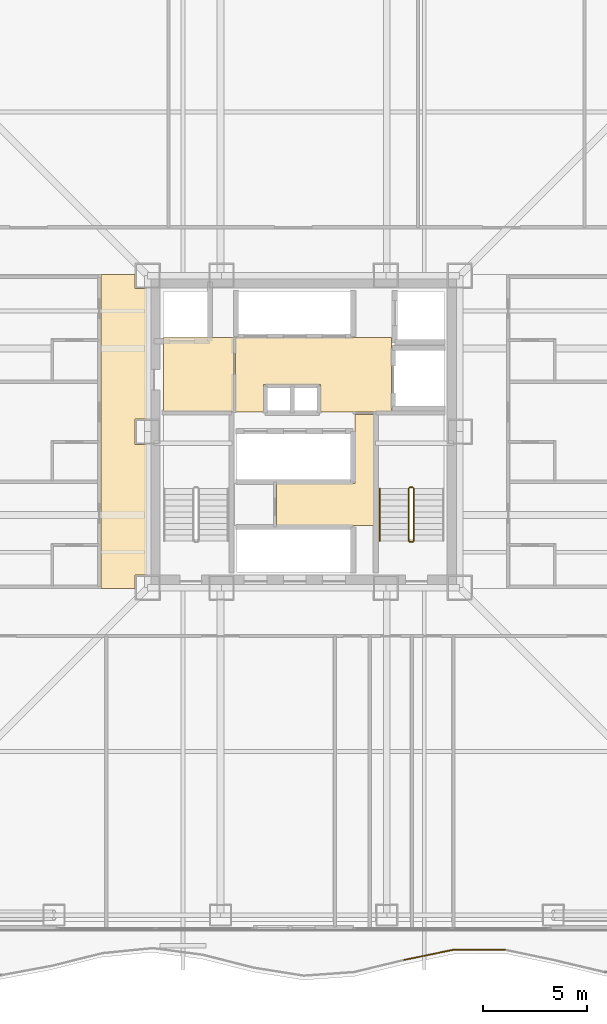
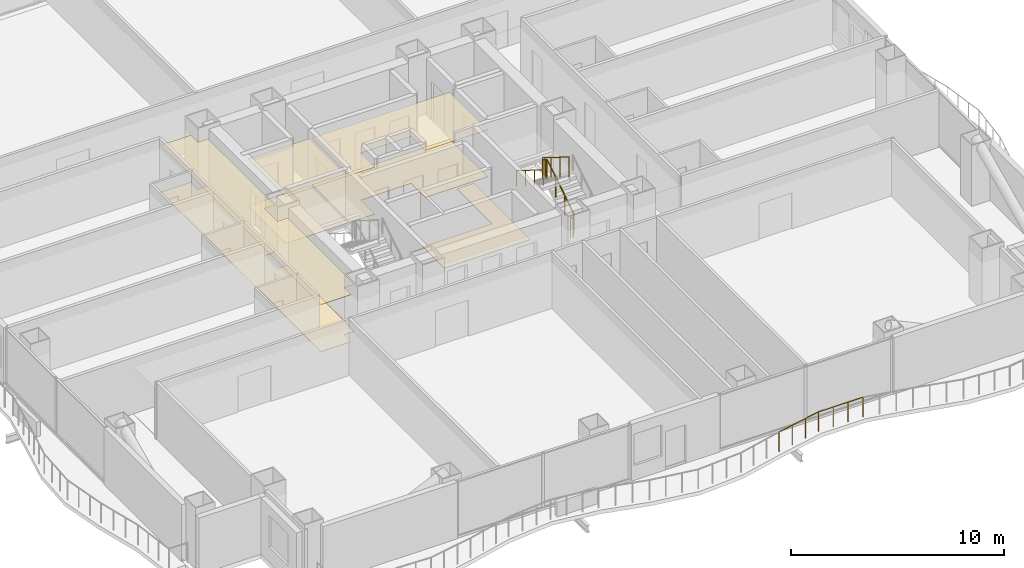
# One storey, part 21 of 24: 7 coverings, 7 railings.
"""IFC4 building model written with IfcOpenShell, lengths in metres."""

from ifc_helpers import new_model, si_unit, direction, frame, origin, origin_2d, place, context, subcontext, project, spatial, polyline, circle, outline, extrude, material, layer, layer_set, type_object, element, save


model = new_model("IFC4")

# Units and contexts
model_context = context("Model", 3, precision=1e-05, world=origin(), true_north=direction((0.0, 1.0)))
body_context = subcontext(model_context, "Body", "Model", "MODEL_VIEW")
ifc_project = project(units=[si_unit("LENGTHUNIT", "METRE"), si_unit("AREAUNIT", "SQUARE_METRE"), si_unit("VOLUMEUNIT", "CUBIC_METRE"), si_unit("PLANEANGLEUNIT", "RADIAN"), si_unit("MASSUNIT", "GRAM", prefix="KILO")], contexts=[model_context])

# Site, building, storey
site_placement = place(None, origin())
site = spatial("IfcSite", under=ifc_project, at=site_placement, CompositionType="ELEMENT")
building_placement = place(site_placement, origin())
building = spatial("IfcBuilding", under=site, at=building_placement, Name="Trevonay Congress Spire", CompositionType="ELEMENT")
storey_placement = place(building_placement, frame((0.0, 0.0, 55.0)))
storey = spatial("IfcBuildingStorey", under=building, at=storey_placement, Name="L13", CompositionType="ELEMENT", Elevation=55.0)

# Coverings
ifc_material_1 = material(Name="Acoustic Mineral Fibre Board", Category="gypsum")
ifc_layer_1 = layer(ifc_material_1, 0.02490234375, Name="Acoustic Mineral Fibre Board")
ifc_layer_set_1 = layer_set([ifc_layer_1], Name="Acoustic Mineral Fibre Board")
covering_type_1 = type_object("IfcCoveringType", Name="COV-CEIL-ACOUSTIC", PredefinedType="CEILING", material=ifc_layer_set_1)
covering_1_placement = place(storey_placement, frame((0.0, 0.0, 2.699951171875)))
element("IfcCovering", 1, at=covering_1_placement, inside=storey, type_object=covering_type_1, Name="L13 Firefighting Lift Lobby West acoustic suspended ceiling", PredefinedType="CEILING", context=body_context, shape_type="SweptSolid", body=[
    extrude(outline(polyline([(-6.75, 0.9599609375), (-3.3798828125, 0.9599609375), (-3.3798828125, 4.52001953125), (-6.75, 4.52001953125), (-6.75, 0.9599609375)])), origin(), (0.0, 0.0, 1.0), 0.025146484375),
])
covering_2_placement = place(storey_placement, frame((0.0, 0.0, 2.699951171875)))
element("IfcCovering", 2, at=covering_2_placement, inside=storey, type_object=covering_type_1, Name="L13 Central and High-Rise Passenger Lift Lobby acoustic suspended ceiling", PredefinedType="CEILING", context=body_context, shape_type="SweptSolid", body=[
    extrude(outline(polyline([(-3.280029296875, 0.949951171875), (-1.919921875, 0.949951171875), (-1.919921875, 2.280029296875), (0.820068359375, 2.280029296875), (0.820068359375, 0.949951171875), (4.219970703125, 0.949951171875), (4.219970703125, 4.52001953125), (-3.280029296875, 4.52001953125), (-3.280029296875, 0.949951171875)])), origin(), (0.0, 0.0, 1.0), 0.025146484375),
])
covering_3_placement = place(storey_placement, frame((0.0, 0.0, 2.699951171875)))
element("IfcCovering", 3, at=covering_3_placement, inside=storey, type_object=covering_type_1, Name="L13 Hotel Floor Corridor West acoustic suspended ceiling", PredefinedType="CEILING", context=body_context, shape_type="SweptSolid", body=[
    extrude(outline(polyline([(-9.75, 7.550048828125), (-8.110107421875, 7.550048828125), (-8.110107421875, 6.889892578125), (-7.550048828125, 6.889892578125), (-7.550048828125, 0.610107421875), (-8.110107421875, 0.610107421875), (-8.110107421875, -0.610107421875), (-7.550048828125, -0.610107421875), (-7.550048828125, -6.889892578125), (-8.110107421875, -6.889892578125), (-8.110107421875, -7.550048828125), (-9.75, -7.550048828125), (-9.75, 7.550048828125)])), origin(), (0.0, 0.0, 1.0), 0.025146484375),
])
ifc_material_2 = material(Name="Polished Granite Floor Tile", Category="masonry")
ifc_layer_2 = layer(ifc_material_2, 0.02001953125, Name="Polished Granite Floor Tile")
ifc_layer_set_2 = layer_set([ifc_layer_2], Name="Polished Granite Floor Tile")
covering_type_2 = type_object("IfcCoveringType", Name="COV-FLOOR-STONE", PredefinedType="FLOORING", material=ifc_layer_set_2)
covering_4_placement = place(storey_placement, origin())
element("IfcCovering", 4, at=covering_4_placement, inside=storey, type_object=covering_type_2, Name="L13 Firefighting Lift Lobby West floor finish", PredefinedType="FLOORING", context=body_context, shape_type="SweptSolid", body=[
    extrude(outline(polyline([(-6.75, 0.9599609375), (-3.3798828125, 0.9599609375), (-3.3798828125, 4.52001953125), (-6.75, 4.52001953125), (-6.75, 0.9599609375)])), origin(), (0.0, 0.0, 1.0), 0.02001953125),
])
covering_5_placement = place(storey_placement, origin())
element("IfcCovering", 5, at=covering_5_placement, inside=storey, type_object=covering_type_2, Name="L13 Central and High-Rise Passenger Lift Lobby floor finish", PredefinedType="FLOORING", context=body_context, shape_type="SweptSolid", body=[
    extrude(outline(polyline([(-3.280029296875, 0.949951171875), (-1.919921875, 0.949951171875), (-1.919921875, 2.280029296875), (0.820068359375, 2.280029296875), (0.820068359375, 0.949951171875), (4.219970703125, 0.949951171875), (4.219970703125, 4.52001953125), (-3.280029296875, 4.52001953125), (-3.280029296875, 0.949951171875)])), origin(), (0.0, 0.0, 1.0), 0.02001953125),
])
covering_6_placement = place(storey_placement, origin())
element("IfcCovering", 6, at=covering_6_placement, inside=storey, type_object=covering_type_2, Name="L13 Smoke Control Damper Room floor finish", PredefinedType="FLOORING", context=body_context, shape_type="SweptSolid", body=[
    extrude(outline(polyline([(-1.300048828125, -4.52001953125), (3.3798828125, -4.52001953125), (3.3798828125, 0.820068359375), (2.4599609375, 0.820068359375), (2.4599609375, -2.47998046875), (-1.300048828125, -2.47998046875), (-1.300048828125, -4.52001953125)])), origin(), (0.0, 0.0, 1.0), 0.02001953125),
])
covering_7_placement = place(storey_placement, origin())
element("IfcCovering", 7, at=covering_7_placement, inside=storey, type_object=covering_type_2, Name="L13 Hotel Floor Corridor West floor finish", PredefinedType="FLOORING", context=body_context, shape_type="SweptSolid", body=[
    extrude(outline(polyline([(-9.75, 7.550048828125), (-8.110107421875, 7.550048828125), (-8.110107421875, 6.889892578125), (-7.550048828125, 6.889892578125), (-7.550048828125, 0.610107421875), (-8.110107421875, 0.610107421875), (-8.110107421875, -0.610107421875), (-7.550048828125, -0.610107421875), (-7.550048828125, -6.889892578125), (-8.110107421875, -6.889892578125), (-8.110107421875, -7.550048828125), (-9.75, -7.550048828125), (-9.75, 7.550048828125)])), origin(), (0.0, 0.0, 1.0), 0.02001953125),
])

# Railings
ifc_material_3 = material(Name="Pale Anodised Aluminium EN AW-6063-T6", Category="aluminium")
railing_type_1 = type_object("IfcRailingType", Name="RAL-EXT-GUARD-115", PredefinedType="GUARDRAIL", material=ifc_material_3)
railing_1_placement = place(storey_placement, frame((4.8359375, -25.39599609375, 0.0)))
element("IfcRailing", 8, at=railing_1_placement, inside=storey, type_object=railing_type_1, Name="L13 perimeter safety guard GRD-L13-WAV-S-11", PredefinedType="GUARDRAIL", context=body_context, shape_type="SweptSolid", body=[
    extrude(circle(Radius=0.02392578125, at=origin_2d()), frame((0.0, 0.0, 1.1259765625), z_axis=(0.979282060972, 0.202500975451, 0.0), x_axis=(-0.202500975451, 0.979282060972, 0.0)), (0.0, 0.0, 1.0), 2.46923828125),
    extrude(circle(Radius=0.02099609375, at=origin_2d()), origin(), (0.0, 0.0, 1.0), 1.101806640625),
    extrude(circle(Radius=0.02099609375, at=origin_2d()), frame((0.805908203125, 0.166748046875, 0.0)), (0.0, 0.0, 1.0), 1.101806640625),
    extrude(circle(Radius=0.02099609375, at=origin_2d()), frame((1.612060546875, 0.333251953125, 0.0)), (0.0, 0.0, 1.0), 1.101806640625),
    extrude(circle(Radius=0.02099609375, at=origin_2d()), frame((2.41796875, 0.5, 0.0)), (0.0, 0.0, 1.0), 1.101806640625),
])
railing_2_placement = place(storey_placement, frame((7.25390625, -24.89599609375, 0.0)))
element("IfcRailing", 9, at=railing_2_placement, inside=storey, type_object=railing_type_1, Name="L13 perimeter safety guard GRD-L13-WAV-S-12", PredefinedType="GUARDRAIL", context=body_context, shape_type="SweptSolid", body=[
    extrude(circle(Radius=0.02392578125, at=origin_2d()), frame((0.0, 0.0, 1.1259765625), z_axis=(0.999994450098, -0.003331632191, 0.0), x_axis=(0.003331632191, 0.999994450098, 0.0)), (0.0, 0.0, 1.0), 2.418212890625),
    extrude(circle(Radius=0.02099609375, at=origin_2d()), origin(), (0.0, 0.0, 1.0), 1.101806640625),
    extrude(circle(Radius=0.02099609375, at=origin_2d()), frame((0.80615234375, -0.002685546875, 0.0)), (0.0, 0.0, 1.0), 1.101806640625),
    extrude(circle(Radius=0.02099609375, at=origin_2d()), frame((1.612060546875, -0.00537109375, 0.0)), (0.0, 0.0, 1.0), 1.101806640625),
    extrude(circle(Radius=0.02099609375, at=origin_2d()), frame((2.418212890625, -0.008056640625, 0.0)), (0.0, 0.0, 1.0), 1.101806640625),
])
railing_type_2 = type_object("IfcRailingType", Name="RAL-STAIR-GUARD-110", PredefinedType="GUARDRAIL", material=ifc_material_3)
railing_3_placement = place(storey_placement, frame((5.300048828125, -5.25, 0.175048828125)))
element("IfcRailing", 10, at=railing_3_placement, inside=storey, type_object=railing_type_2, Name="L13 ST-2 stair guard 1", PredefinedType="GUARDRAIL", context=body_context, shape_type="SweptSolid", body=[
    extrude(circle(Radius=0.02392578125, at=origin_2d()), frame((0.0, 0.0, 1.1259765625), z_axis=(0.0, 0.848007534815, 0.529984170421), x_axis=(-1.0, 0.0, 0.0)), (0.0, 0.0, 1.0), 2.9716796875),
    extrude(circle(Radius=0.02099609375, at=origin_2d()), origin(), (0.0, 0.0, 1.0), 1.101806640625),
    extrude(circle(Radius=0.02099609375, at=origin_2d()), frame((0.0, 0.840087890625, 0.52490234375)), (0.0, 0.0, 1.0), 1.101806640625),
    extrude(circle(Radius=0.02099609375, at=origin_2d()), frame((0.0, 1.679931640625, 1.050048828125)), (0.0, 0.0, 1.0), 1.101806640625),
    extrude(circle(Radius=0.02099609375, at=origin_2d()), frame((0.0, 2.52001953125, 1.574951171875)), (0.0, 0.0, 1.0), 1.101806640625),
])
railing_4_placement = place(storey_placement, frame((5.25, -2.679931640625, 1.75)))
element("IfcRailing", 11, at=railing_4_placement, inside=storey, type_object=railing_type_2, Name="L13 ST-2 stair guard 2", PredefinedType="GUARDRAIL", context=body_context, shape_type="SweptSolid", body=[
    extrude(circle(Radius=0.02392578125, at=origin_2d()), frame((0.0, 0.0, 1.1259765625), z_axis=(-1.0, 0.0, 0.0), x_axis=(0.0, -1.0, 0.0)), (0.0, 0.0, 1.0), 0.14990234375),
    extrude(circle(Radius=0.02099609375, at=origin_2d()), origin(), (0.0, 0.0, 1.0), 1.101806640625),
    extrude(circle(Radius=0.02099609375, at=origin_2d()), frame((-0.14990234375, 0.0, 0.0)), (0.0, 0.0, 1.0), 1.101806640625),
])
railing_5_placement = place(storey_placement, frame((5.050048828125, -2.72998046875, 1.925048828125)))
element("IfcRailing", 12, at=railing_5_placement, inside=storey, type_object=railing_type_2, Name="L13 ST-2 stair guard 3", PredefinedType="GUARDRAIL", context=body_context, shape_type="SweptSolid", body=[
    extrude(circle(Radius=0.02392578125, at=origin_2d()), frame((0.0, 0.0, 1.1259765625), z_axis=(0.0, -0.848007534815, 0.529984170421), x_axis=(1.0, 0.0, 0.0)), (0.0, 0.0, 1.0), 2.9716796875),
    extrude(circle(Radius=0.02099609375, at=origin_2d()), origin(), (0.0, 0.0, 1.0), 1.101806640625),
    extrude(circle(Radius=0.02099609375, at=origin_2d()), frame((0.0, -0.840087890625, 0.52490234375)), (0.0, 0.0, 1.0), 1.101806640625),
    extrude(circle(Radius=0.02099609375, at=origin_2d()), frame((0.0, -1.679931640625, 1.050048828125)), (0.0, 0.0, 1.0), 1.101806640625),
    extrude(circle(Radius=0.02099609375, at=origin_2d()), frame((0.0, -2.52001953125, 1.574951171875)), (0.0, 0.0, 1.0), 1.101806640625),
])
railing_6_placement = place(storey_placement, frame((5.25, -5.300048828125, 0.0)))
element("IfcRailing", 13, at=railing_6_placement, inside=storey, type_object=railing_type_2, Name="L13 ST-2 stair guard 4", PredefinedType="GUARDRAIL", context=body_context, shape_type="SweptSolid", body=[
    extrude(circle(Radius=0.02392578125, at=origin_2d()), frame((0.0, 0.0, 1.1259765625), z_axis=(-1.0, 0.0, 0.0), x_axis=(0.0, -1.0, 0.0)), (0.0, 0.0, 1.0), 0.14990234375),
    extrude(circle(Radius=0.02099609375, at=origin_2d()), origin(), (0.0, 0.0, 1.0), 1.101806640625),
    extrude(circle(Radius=0.02099609375, at=origin_2d()), frame((-0.14990234375, 0.0, 0.0)), (0.0, 0.0, 1.0), 1.101806640625),
])
railing_type_3 = type_object("IfcRailingType", Name="RAL-STAIR-HANDRAIL", PredefinedType="HANDRAIL", material=ifc_material_3)
railing_7_placement = place(storey_placement, frame((3.64990234375, -2.72998046875, 1.925048828125)))
element("IfcRailing", 14, at=railing_7_placement, inside=storey, type_object=railing_type_3, Name="L13 ST-2 stair handrail 2", PredefinedType="HANDRAIL", context=body_context, shape_type="SweptSolid", body=[
    extrude(circle(Radius=0.02392578125, at=origin_2d()), frame((0.0, 0.0, 0.8759765625), z_axis=(0.0, -0.848007534815, 0.529984170421), x_axis=(1.0, 0.0, 0.0)), (0.0, 0.0, 1.0), 2.9716796875),
    extrude(circle(Radius=0.02099609375, at=origin_2d()), origin(), (0.0, 0.0, 1.0), 0.851806640625),
    extrude(circle(Radius=0.02099609375, at=origin_2d()), frame((0.0, -0.840087890625, 0.52490234375)), (0.0, 0.0, 1.0), 0.851806640625),
    extrude(circle(Radius=0.02099609375, at=origin_2d()), frame((0.0, -1.679931640625, 1.050048828125)), (0.0, 0.0, 1.0), 0.851806640625),
    extrude(circle(Radius=0.02099609375, at=origin_2d()), frame((0.0, -2.52001953125, 1.574951171875)), (0.0, 0.0, 1.0), 0.851806640625),
])

save(model, "model.ifc")
